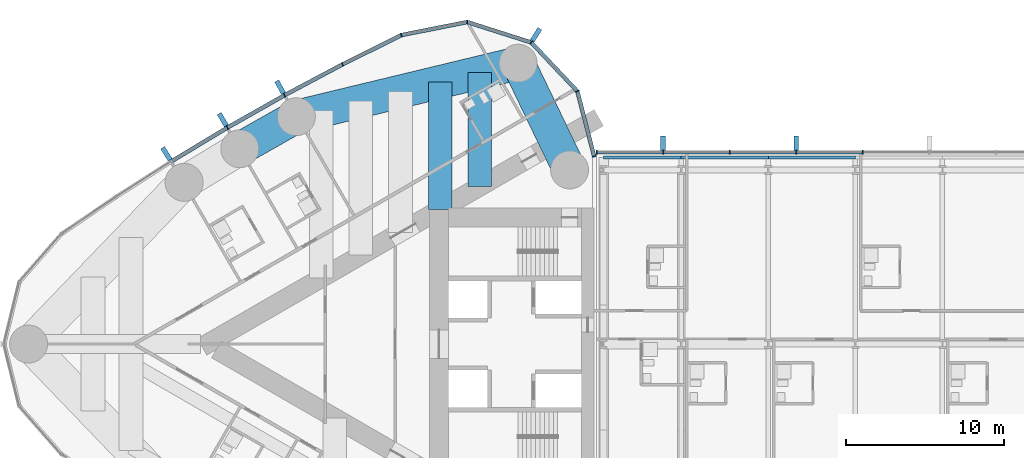
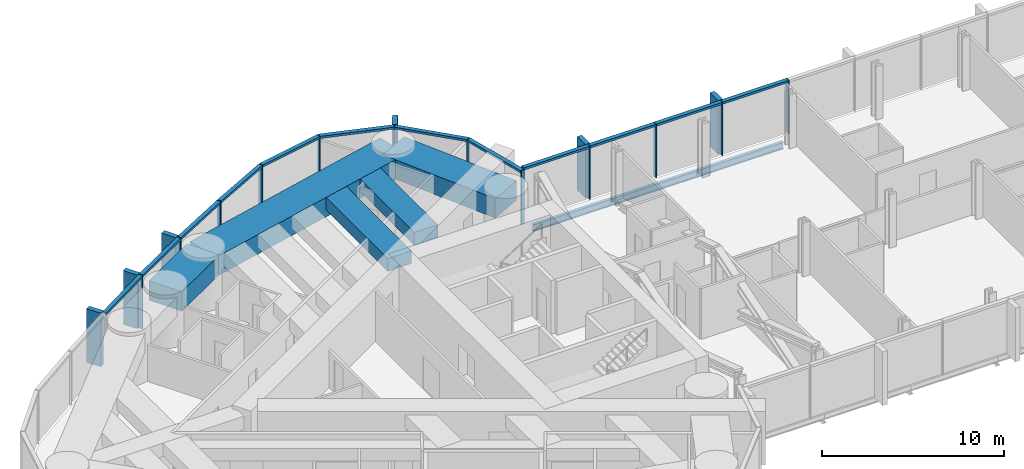
# One storey, part 6 of 24: 31 members, 8 beams, 2 elements without a shape of their own.
"""IFC4 building model written with IfcOpenShell, lengths in metres."""

import ifcopenshell
import ifcopenshell.guid

model = None  # the IFC model being written
_history = None  # IfcOwnerHistory: only IFC2X3 demands one
_inside = {}  # id of a spatial element -> (the spatial element, [elements in it])
_under = {}  # id of a project, library or spatial element -> (it, [spatial elements below it])
_declared = {}  # id of a project -> (the project, [libraries it declares])
_typed = {}  # id of a type object -> (the type object, [elements of that type])
_made_of = {}  # id of a material, layer set ... -> (it, [elements and type objects made of it])


def new_model(schema):
    """Start an empty IFC model of exactly this schema.

    Asked for "IFC4X3", IfcOpenShell would pick the latest addendum, in which some entities
    have other attributes; the version numbers below select the first issue.
    IFC2X3 requires an IfcOwnerHistory on every rooted entity: one is made here for all.
    """
    global model, _history
    if schema == "IFC4X3":
        model = ifcopenshell.file(schema_version=(4, 3, 0, 0))
    else:
        model = ifcopenshell.file(schema=schema)
    _inside.clear()
    _under.clear()
    _declared.clear()
    _typed.clear()
    _made_of.clear()
    _history = None
    if model.schema == "IFC2X3":
        org = make("IfcOrganization", Name="unknown")
        user = make(
            "IfcPersonAndOrganization",
            ThePerson=make("IfcPerson", FamilyName="unknown"),
            TheOrganization=org,
        )
        app = make(
            "IfcApplication",
            ApplicationDeveloper=org,
            Version="unknown",
            ApplicationFullName="unknown",
            ApplicationIdentifier="unknown",
        )
        _history = make(
            "IfcOwnerHistory",
            OwningUser=user,
            OwningApplication=app,
            ChangeAction="ADDED",
            CreationDate=0,
        )
    return model


def make(cls, **values):
    """One entity of the class cls with the attributes given. An attribute that is None is left unset."""
    return model.create_entity(
        cls, **{name: value for name, value in values.items() if value is not None}
    )


def rooted(cls, **values):
    """An entity with a GlobalId (a new one), such as an element, a storey or a relation."""
    return make(cls, GlobalId=ifcopenshell.guid.new(), OwnerHistory=_history, **values)


def si_unit(unit_type, name, prefix=None):
    """IfcSIUnit, for example si_unit("LENGTHUNIT", "METRE", prefix="MILLI")."""
    return make("IfcSIUnit", UnitType=unit_type, Prefix=prefix, Name=name)


def assignment(units):
    """IfcUnitAssignment: the units of a project."""
    return None if units is None else make("IfcUnitAssignment", Units=units)


def point(xyz):
    """IfcCartesianPoint."""
    return None if xyz is None else make("IfcCartesianPoint", Coordinates=xyz)


def direction(xyz):
    """IfcDirection."""
    return None if xyz is None else make("IfcDirection", DirectionRatios=xyz)


def frame(location, z_axis=None, x_axis=None):
    """IfcAxis2Placement3D, a coordinate frame: its origin and axes. An axis left out is left unset."""
    return make(
        "IfcAxis2Placement3D",
        Location=point(location),
        Axis=direction(z_axis),
        RefDirection=direction(x_axis),
    )


def frame_2d(location, x_axis=None):
    """IfcAxis2Placement2D, a coordinate frame in the plane: its origin and x axis."""
    return make(
        "IfcAxis2Placement2D", Location=point(location), RefDirection=direction(x_axis)
    )


def origin():
    """The frame at (0, 0, 0) with its axes left unset."""
    return frame((0.0, 0.0, 0.0))


def origin_2d():
    """The frame at (0, 0) in the plane with its x axis left unset."""
    return frame_2d((0.0, 0.0))


def place(relative_to, where):
    """IfcLocalPlacement: puts the frame where relative to a parent placement (None: the world)."""
    return make(
        "IfcLocalPlacement", PlacementRelTo=relative_to, RelativePlacement=where
    )


def context(
    kind, dimensions, precision=None, world=None, true_north=None, identifier=None
):
    """IfcGeometricRepresentationContext, for example the 3D "Model" context."""
    return make(
        "IfcGeometricRepresentationContext",
        ContextIdentifier=identifier,
        ContextType=kind,
        CoordinateSpaceDimension=dimensions,
        Precision=precision,
        WorldCoordinateSystem=world,
        TrueNorth=true_north,
    )


def subcontext(parent, identifier, kind, view, scale=None):
    """IfcGeometricRepresentationSubContext, for example "Body" below "Model"."""
    return make(
        "IfcGeometricRepresentationSubContext",
        ContextIdentifier=identifier,
        ContextType=kind,
        ParentContext=parent,
        TargetScale=scale,
        TargetView=view,
    )


def project(units=None, contexts=None):
    """IfcProject with its units and contexts."""
    return rooted(
        "IfcProject",
        Name="project",
        RepresentationContexts=contexts,
        UnitsInContext=assignment(units),
    )


def spatial(cls, under=None, at=None, **own):
    """A site, building, storey or space (cls), placed at a placement, below another one or the project."""
    s = rooted(cls, ObjectPlacement=at, **own)
    if under is not None:
        _under.setdefault(under.id(), (under, []))[1].append(s)
    return s


def profile(cls, at=None, kind="AREA", **sizes):
    """A parametric profile (cls). Its sizes go by their IFC names, for example OverallWidth=200.0."""
    return make(cls, ProfileType=kind, Position=at, **sizes)


def rectangle(**sizes):
    """IfcRectangleProfileDef."""
    return profile("IfcRectangleProfileDef", **sizes)


def i_section(**sizes):
    """IfcIShapeProfileDef."""
    return profile("IfcIShapeProfileDef", **sizes)


def extrude(swept, where, along, depth):
    """IfcExtrudedAreaSolid: the profile swept, set in the frame where, extruded along a direction by depth."""
    return make(
        "IfcExtrudedAreaSolid",
        SweptArea=swept,
        Position=where,
        ExtrudedDirection=direction(along),
        Depth=depth,
    )


def shape(context_of_items, identifier, shape_type, items):
    """IfcShapeRepresentation: the items that make up one representation, for example the "Body"."""
    return make(
        "IfcShapeRepresentation",
        ContextOfItems=context_of_items,
        RepresentationIdentifier=identifier,
        RepresentationType=shape_type,
        Items=items,
    )


def material(Name=None, Category=None):
    """IfcMaterial."""
    return make("IfcMaterial", Name=Name, Category=Category)


def material_profile(
    of_material, cross_section, Name=None, Category=None, Priority=None
):
    """IfcMaterialProfile: a cross section and its material."""
    return make(
        "IfcMaterialProfile",
        Name=Name,
        Material=of_material,
        Profile=cross_section,
        Priority=Priority,
        Category=Category,
    )


def profile_set(profiles, Name=None, composite=None):
    """IfcMaterialProfileSet."""
    return make(
        "IfcMaterialProfileSet",
        Name=Name,
        MaterialProfiles=profiles,
        CompositeProfile=composite,
    )


def made_of(thing, what):
    """Note that an element or type object is made of a material, layer set ...; save() writes the relation."""
    if what is not None:
        _made_of.setdefault(what.id(), (what, []))[1].append(thing)
    return thing


def type_object(cls, material=None, **own):
    """A type object (cls), such as IfcWallType, which elements share."""
    return made_of(rooted(cls, **own), material)


def element(
    cls,
    number,
    at=None,
    inside=None,
    cuts=None,
    type_object=None,
    material=None,
    context=None,
    identifier="Body",
    shape_type=None,
    held_by="IfcProductDefinitionShape",
    body=None,
    shapes=None,
    **own,
):
    """One element of the class cls, such as IfcWall. Its Tag is "e" and its number.

    at: its placement. inside: the storey or other place that contains it. cuts: it is an
    opening in that element (IfcRelVoidsElement). A single representation is given by context,
    identifier, shape_type and body (its items); several are given by shapes. held_by: the class
    of the entity that holds the representations. save() writes the other relations.
    """
    e = rooted(cls, Tag="e%d" % number, ObjectPlacement=at, **own)
    if body is not None:
        shapes = [shape(context, identifier, shape_type, body)]
    if shapes is not None:
        e.Representation = make(held_by, Representations=shapes)
    if inside is not None:
        _inside.setdefault(inside.id(), (inside, []))[1].append(e)
    if cuts is not None:
        rooted(
            "IfcRelVoidsElement", RelatingBuildingElement=cuts, RelatedOpeningElement=e
        )
    if type_object is not None:
        _typed.setdefault(type_object.id(), (type_object, []))[1].append(e)
    return made_of(e, material)


def aggregate(whole, parts):
    """IfcRelAggregates: a whole, such as a stair, and the parts it consists of."""
    return rooted("IfcRelAggregates", RelatingObject=whole, RelatedObjects=parts)


def save(model, path):
    """Write the relations noted so far, then the file.

    IfcRelAggregates (storeys below a building ...), IfcRelContainedInSpatialStructure (elements
    in a storey), IfcRelDefinesByType, IfcRelAssociatesMaterial and IfcRelDeclares: one each for
    every whole, place, type object, material and project.
    """
    for whole, parts in _under.values():
        aggregate(whole, parts)
    for where, things in _inside.values():
        rooted(
            "IfcRelContainedInSpatialStructure",
            RelatedElements=things,
            RelatingStructure=where,
        )
    for kind, things in _typed.values():
        rooted("IfcRelDefinesByType", RelatedObjects=things, RelatingType=kind)
    for what, things in _made_of.values():
        rooted("IfcRelAssociatesMaterial", RelatedObjects=things, RelatingMaterial=what)
    for by, libraries in _declared.values():
        rooted("IfcRelDeclares", RelatingContext=by, RelatedDefinitions=libraries)
    model.write(path)


model = new_model("IFC4")

# Units and contexts
model_context = context("Model", 3, precision=1e-05, world=origin(), true_north=direction((0.0, 1.0)))
body_context = subcontext(model_context, "Body", "Model", "MODEL_VIEW")
ifc_project = project(units=[si_unit("LENGTHUNIT", "METRE"), si_unit("AREAUNIT", "SQUARE_METRE"), si_unit("VOLUMEUNIT", "CUBIC_METRE"), si_unit("PLANEANGLEUNIT", "RADIAN"), si_unit("MASSUNIT", "GRAM", prefix="KILO")], contexts=[model_context])

# Site, building, storey
site_placement = place(None, origin())
site = spatial("IfcSite", under=ifc_project, at=site_placement, CompositionType="ELEMENT")
building_placement = place(site_placement, origin())
building = spatial("IfcBuilding", under=site, at=building_placement, Name="Lancet Gate Hotel", CompositionType="ELEMENT")
storey_placement = place(building_placement, frame((0.0, 0.0, 244.10009765625)))
storey = spatial("IfcBuildingStorey", under=building, at=storey_placement, Name="L65", CompositionType="ELEMENT", Elevation=244.10009765625)

# Curtain wall, members
ifc_material_1 = material(Name="Aluminium curtain wall", Category="aluminium")
curtain_wall_type_1 = type_object("IfcCurtainWallType", Name="Tower unitised curtain wall", PredefinedType="USERDEFINED", material=ifc_material_1)
curtain_wall_1_placement = place(storey_placement, origin())
curtain_wall_1 = element("IfcCurtainWall", 1, at=curtain_wall_1_placement, inside=storey, type_object=curtain_wall_type_1, Name="T1 L65 curtain wall 1", ObjectType="UNITISED CURTAIN WALL", PredefinedType="USERDEFINED")
ifc_material_2 = material(Name="Aluminium mullion", Category="aluminium")
ifc_material_profile_1 = material_profile(ifc_material_2, rectangle(XDim=0.06494140625, YDim=0.25, at=origin_2d()), Name="MULLION 65x250")
ifc_profile_set_1 = profile_set([ifc_material_profile_1], Name="Aluminium mullion")
member_type_1 = type_object("IfcMemberType", Name="Aluminium mullion 65x250", PredefinedType="MULLION", material=ifc_profile_set_1)
member_1_placement = place(storey_placement, frame((-27.5, 11.861572265625, 0.0), z_axis=(0.0, 0.0, 1.0), x_axis=(-0.249725827997, 0.968316586056, 0.0)))
member_1 = element("IfcMember", 2, at=member_1_placement, type_object=member_type_1, Name="T1 L65 curtain wall 1 mullion 1", PredefinedType="MULLION", context=body_context, shape_type="SweptSolid", body=[
    extrude(rectangle(XDim=0.06494140625, YDim=0.25, at=origin_2d()), origin(), (0.0, 0.0, 1.0), 3.599853515625),
])
member_2_placement = place(storey_placement, frame((-28.56005859375, 15.97216796875, 0.0), z_axis=(0.0, 0.0, 1.0), x_axis=(-0.483627322447, 0.875274021654, 0.0)))
member_2 = element("IfcMember", 3, at=member_2_placement, type_object=member_type_1, Name="T1 L65 curtain wall 1 mullion 2", PredefinedType="MULLION", context=body_context, shape_type="SweptSolid", body=[
    extrude(rectangle(XDim=0.06494140625, YDim=0.25, at=origin_2d()), origin(), (0.0, 0.0, 1.0), 3.599853515625),
])
member_3_placement = place(storey_placement, frame((-31.476318359375, 19.0576171875, 0.0), z_axis=(0.0, 0.0, 1.0), x_axis=(-0.846612863, 0.532209225966, 0.0)))
member_3 = element("IfcMember", 4, at=member_3_placement, type_object=member_type_1, Name="T1 L65 curtain wall 1 mullion 3", PredefinedType="MULLION", context=body_context, shape_type="SweptSolid", body=[
    extrude(rectangle(XDim=0.06494140625, YDim=0.25, at=origin_2d()), origin(), (0.0, 0.0, 1.0), 3.599853515625),
])
member_4_placement = place(storey_placement, frame((-35.520751953125, 20.347900390625, 0.0), z_axis=(0.0, 0.0, 1.0), x_axis=(-0.998409168318, 0.056383797491, 0.0)))
member_4 = element("IfcMember", 5, at=member_4_placement, type_object=member_type_1, Name="T1 L65 curtain wall 1 mullion 4", PredefinedType="MULLION", context=body_context, shape_type="SweptSolid", body=[
    extrude(rectangle(XDim=0.06494140625, YDim=0.25, at=origin_2d()), origin(), (0.0, 0.0, 1.0), 3.599853515625),
])
member_5_placement = place(storey_placement, frame((-39.684814453125, 19.521240234375, 0.0), z_axis=(0.0, 0.0, 1.0), x_axis=(-0.946887706423, -0.321564412561, 0.0)))
member_5 = element("IfcMember", 6, at=member_5_placement, type_object=member_type_1, Name="T1 L65 curtain wall 1 mullion 5", PredefinedType="MULLION", context=body_context, shape_type="SweptSolid", body=[
    extrude(rectangle(XDim=0.06494140625, YDim=0.25, at=origin_2d()), origin(), (0.0, 0.0, 1.0), 3.599853515625),
])
member_6_placement = place(storey_placement, frame((-43.3994140625, 17.67236328125, 0.0), z_axis=(0.0, 0.0, 1.0), x_axis=(-0.889155526065, -0.457605125046, 0.0)))
member_6 = element("IfcMember", 7, at=member_6_placement, type_object=member_type_1, Name="T1 L65 curtain wall 1 mullion 6", PredefinedType="MULLION", context=body_context, shape_type="SweptSolid", body=[
    extrude(rectangle(XDim=0.06494140625, YDim=0.25, at=origin_2d()), origin(), (0.0, 0.0, 1.0), 3.599853515625),
])
member_7_placement = place(storey_placement, frame((-47.062744140625, 15.72412109375, 0.0), z_axis=(0.0, 0.0, 1.0), x_axis=(-0.876516407283, -0.481371984815, 0.0)))
member_7 = element("IfcMember", 8, at=member_7_placement, type_object=member_type_1, Name="T1 L65 curtain wall 1 mullion 7", PredefinedType="MULLION", context=body_context, shape_type="SweptSolid", body=[
    extrude(rectangle(XDim=0.06494140625, YDim=0.25, at=origin_2d()), origin(), (0.0, 0.0, 1.0), 3.599853515625),
])
member_8_placement = place(storey_placement, frame((-50.67236328125, 13.677978515625, 0.0), z_axis=(0.0, 0.0, 1.0), x_axis=(-0.863242155108, -0.504790037189, 0.0)))
member_8 = element("IfcMember", 9, at=member_8_placement, type_object=member_type_1, Name="T1 L65 curtain wall 1 mullion 8", PredefinedType="MULLION", context=body_context, shape_type="SweptSolid", body=[
    extrude(rectangle(XDim=0.06494140625, YDim=0.25, at=origin_2d()), origin(), (0.0, 0.0, 1.0), 3.599853515625),
])

ifc_material_3 = material(Name="Aluminium curtain wall", Category="aluminium")
curtain_wall_type_2 = type_object("IfcCurtainWallType", Name="Bridge block curtain wall", PredefinedType="USERDEFINED", material=ifc_material_3)
curtain_wall_2_placement = place(storey_placement, origin())
curtain_wall_2 = element("IfcCurtainWall", 10, at=curtain_wall_2_placement, inside=storey, type_object=curtain_wall_type_2, Name="Bridge block L65 curtain wall N", ObjectType="UNITISED CURTAIN WALL", PredefinedType="USERDEFINED")
member_9_placement = place(storey_placement, frame((-10.519287109375, 12.1201171875, 0.0), z_axis=(0.0, 0.0, 1.0), x_axis=(-1.0, 0.0, 0.0)))
member_9 = element("IfcMember", 11, at=member_9_placement, type_object=member_type_1, Name="Bridge block L65 curtain wall N mullion 10", PredefinedType="MULLION", context=body_context, shape_type="SweptSolid", body=[
    extrude(rectangle(XDim=0.06494140625, YDim=0.25, at=origin_2d()), origin(), (0.0, 0.0, 1.0), 3.599853515625),
])
member_10_placement = place(storey_placement, frame((-14.726806640625, 12.1201171875, 0.0), z_axis=(0.0, 0.0, 1.0), x_axis=(-1.0, 0.0, 0.0)))
member_10 = element("IfcMember", 12, at=member_10_placement, type_object=member_type_1, Name="Bridge block L65 curtain wall N mullion 11", PredefinedType="MULLION", context=body_context, shape_type="SweptSolid", body=[
    extrude(rectangle(XDim=0.06494140625, YDim=0.25, at=origin_2d()), origin(), (0.0, 0.0, 1.0), 3.599853515625),
])
member_11_placement = place(storey_placement, frame((-18.9345703125, 12.1201171875, 0.0), z_axis=(0.0, 0.0, 1.0), x_axis=(-1.0, 0.0, 0.0)))
member_11 = element("IfcMember", 13, at=member_11_placement, type_object=member_type_1, Name="Bridge block L65 curtain wall N mullion 12", PredefinedType="MULLION", context=body_context, shape_type="SweptSolid", body=[
    extrude(rectangle(XDim=0.06494140625, YDim=0.25, at=origin_2d()), origin(), (0.0, 0.0, 1.0), 3.599853515625),
])
member_12_placement = place(storey_placement, frame((-23.142333984375, 12.1201171875, 0.0), z_axis=(0.0, 0.0, 1.0), x_axis=(-1.0, 0.0, 0.0)))
member_12 = element("IfcMember", 14, at=member_12_placement, type_object=member_type_1, Name="Bridge block L65 curtain wall N mullion 13", PredefinedType="MULLION", context=body_context, shape_type="SweptSolid", body=[
    extrude(rectangle(XDim=0.06494140625, YDim=0.25, at=origin_2d()), origin(), (0.0, 0.0, 1.0), 3.599853515625),
])
member_13_placement = place(storey_placement, frame((-27.35009765625, 12.1201171875, 0.0), z_axis=(0.0, 0.0, 1.0), x_axis=(-1.0, 0.0, 0.0)))
member_13 = element("IfcMember", 15, at=member_13_placement, type_object=member_type_1, Name="Bridge block L65 curtain wall N mullion 14", PredefinedType="MULLION", context=body_context, shape_type="SweptSolid", body=[
    extrude(rectangle(XDim=0.06494140625, YDim=0.25, at=origin_2d()), origin(), (0.0, 0.0, 1.0), 3.599853515625),
])

# Member
ifc_material_4 = material(Name="Aluminium transom", Category="aluminium")
ifc_material_profile_2 = material_profile(ifc_material_4, rectangle(XDim=0.25, YDim=0.14990234375, at=origin_2d()), Name="TRANSOM 250x150")
ifc_profile_set_2 = profile_set([ifc_material_profile_2], Name="Aluminium transom")
member_type_2 = type_object("IfcMemberType", Name="Aluminium transom 250x150", PredefinedType="USERDEFINED", material=ifc_profile_set_2)
member_14_placement = place(storey_placement, frame((-27.508056640625, 11.892822265625, 3.52490234375), z_axis=(-0.249715522936, 0.968319243641, 0.0), x_axis=(-0.968319243641, -0.249715522936, 0.0)))
member_14 = element("IfcMember", 16, at=member_14_placement, type_object=member_type_2, Name="T1 L65 curtain wall 1 transom 1", ObjectType="TRANSOM", PredefinedType="USERDEFINED", context=body_context, shape_type="SweptSolid", body=[
    extrude(rectangle(XDim=0.25, YDim=0.14990234375, at=origin_2d()), origin(), (0.0, 0.0, 1.0), 4.180419921875),
])

member_15_placement = place(storey_placement, frame((-28.58251953125, 15.995849609375, 3.52490234375), z_axis=(-0.686880731091, 0.726770157103, 0.0), x_axis=(-0.726770157103, -0.686880731091, 0.0)))
member_15 = element("IfcMember", 17, at=member_15_placement, type_object=member_type_2, Name="T1 L65 curtain wall 1 transom 2", ObjectType="TRANSOM", PredefinedType="USERDEFINED", context=body_context, shape_type="SweptSolid", body=[
    extrude(rectangle(XDim=0.25, YDim=0.14990234375, at=origin_2d()), origin(), (0.0, 0.0, 1.0), 4.18017578125),
])

member_16_placement = place(storey_placement, frame((-31.507080078125, 19.067626953125, 3.52490234375), z_axis=(-0.952697713775, 0.303919506068, 0.0), x_axis=(-0.303919506068, -0.952697713775, 0.0)))
member_16 = element("IfcMember", 18, at=member_16_placement, type_object=member_type_2, Name="T1 L65 curtain wall 1 transom 3", ObjectType="TRANSOM", PredefinedType="USERDEFINED", context=body_context, shape_type="SweptSolid", body=[
    extrude(rectangle(XDim=0.25, YDim=0.14990234375, at=origin_2d()), origin(), (0.0, 0.0, 1.0), 4.180419921875),
])

member_17_placement = place(storey_placement, frame((-35.552734375, 20.341552734375, 3.52490234375), z_axis=(-0.980858234867, -0.194723196085, 0.0), x_axis=(0.194723196085, -0.980858234867, 0.0)))
member_17 = element("IfcMember", 19, at=member_17_placement, type_object=member_type_2, Name="T1 L65 curtain wall 1 transom 4", ObjectType="TRANSOM", PredefinedType="USERDEFINED", context=body_context, shape_type="SweptSolid", body=[
    extrude(rectangle(XDim=0.25, YDim=0.14990234375, at=origin_2d()), origin(), (0.0, 0.0, 1.0), 4.18017578125),
])

member_18_placement = place(storey_placement, frame((-39.7138671875, 19.5068359375, 3.52490234375), z_axis=(-0.895226720479, -0.445610950202, 0.0), x_axis=(0.445610950202, -0.895226720479, 0.0)))
member_18 = element("IfcMember", 20, at=member_18_placement, type_object=member_type_2, Name="T1 L65 curtain wall 1 transom 5", ObjectType="TRANSOM", PredefinedType="USERDEFINED", context=body_context, shape_type="SweptSolid", body=[
    extrude(rectangle(XDim=0.25, YDim=0.14990234375, at=origin_2d()), origin(), (0.0, 0.0, 1.0), 4.08447265625),
])

member_19_placement = place(storey_placement, frame((-43.427978515625, 17.656982421875, 3.52490234375), z_axis=(-0.882944619844, -0.469477154171, 0.0), x_axis=(0.469477154171, -0.882944619844, 0.0)))
member_19 = element("IfcMember", 21, at=member_19_placement, type_object=member_type_2, Name="T1 L65 curtain wall 1 transom 6", ObjectType="TRANSOM", PredefinedType="USERDEFINED", context=body_context, shape_type="SweptSolid", body=[
    extrude(rectangle(XDim=0.25, YDim=0.14990234375, at=origin_2d()), origin(), (0.0, 0.0, 1.0), 4.084228515625),
])

member_20_placement = place(storey_placement, frame((-47.091064453125, 15.7080078125, 3.52490234375), z_axis=(-0.869977740049, -0.493090997503, 0.0), x_axis=(0.493090997503, -0.869977740049, 0.0)))
member_20 = element("IfcMember", 22, at=member_20_placement, type_object=member_type_2, Name="T1 L65 curtain wall 1 transom 7", ObjectType="TRANSOM", PredefinedType="USERDEFINED", context=body_context, shape_type="SweptSolid", body=[
    extrude(rectangle(XDim=0.25, YDim=0.14990234375, at=origin_2d()), origin(), (0.0, 0.0, 1.0), 4.084228515625),
])

member_21_placement = place(storey_placement, frame((-50.7001953125, 13.661376953125, 3.52490234375), z_axis=(-0.856362214892, -0.516375596737, 0.0), x_axis=(0.516375596737, -0.856362214892, 0.0)))
member_21 = element("IfcMember", 23, at=member_21_placement, type_object=member_type_2, Name="T1 L65 curtain wall 1 transom 8", ObjectType="TRANSOM", PredefinedType="USERDEFINED", context=body_context, shape_type="SweptSolid", body=[
    extrude(rectangle(XDim=0.25, YDim=0.14990234375, at=origin_2d()), origin(), (0.0, 0.0, 1.0), 4.08447265625),
])

member_22_placement = place(storey_placement, frame((-10.5517578125, 12.1201171875, 3.52490234375), z_axis=(-1.0, 0.0, 0.0), x_axis=(0.0, -1.0, 0.0)))
member_22 = element("IfcMember", 24, at=member_22_placement, type_object=member_type_2, Name="Bridge block L65 curtain wall N transom 10", ObjectType="TRANSOM", PredefinedType="USERDEFINED", context=body_context, shape_type="SweptSolid", body=[
    extrude(rectangle(XDim=0.25, YDim=0.14990234375, at=origin_2d()), origin(), (0.0, 0.0, 1.0), 4.142578125),
])

member_23_placement = place(storey_placement, frame((-14.759521484375, 12.1201171875, 3.52490234375), z_axis=(-1.0, 0.0, 0.0), x_axis=(0.0, -1.0, 0.0)))
member_23 = element("IfcMember", 25, at=member_23_placement, type_object=member_type_2, Name="Bridge block L65 curtain wall N transom 11", ObjectType="TRANSOM", PredefinedType="USERDEFINED", context=body_context, shape_type="SweptSolid", body=[
    extrude(rectangle(XDim=0.25, YDim=0.14990234375, at=origin_2d()), origin(), (0.0, 0.0, 1.0), 4.142578125),
])

member_24_placement = place(storey_placement, frame((-18.967041015625, 12.1201171875, 3.52490234375), z_axis=(-1.0, 0.0, 0.0), x_axis=(0.0, -1.0, 0.0)))
member_24 = element("IfcMember", 26, at=member_24_placement, type_object=member_type_2, Name="Bridge block L65 curtain wall N transom 12", ObjectType="TRANSOM", PredefinedType="USERDEFINED", context=body_context, shape_type="SweptSolid", body=[
    extrude(rectangle(XDim=0.25, YDim=0.14990234375, at=origin_2d()), origin(), (0.0, 0.0, 1.0), 4.142822265625),
])

member_25_placement = place(storey_placement, frame((-23.1748046875, 12.1201171875, 3.52490234375), z_axis=(-1.0, 0.0, 0.0), x_axis=(0.0, -1.0, 0.0)))
member_25 = element("IfcMember", 27, at=member_25_placement, type_object=member_type_2, Name="Bridge block L65 curtain wall N transom 13", ObjectType="TRANSOM", PredefinedType="USERDEFINED", context=body_context, shape_type="SweptSolid", body=[
    extrude(rectangle(XDim=0.25, YDim=0.14990234375, at=origin_2d()), origin(), (0.0, 0.0, 1.0), 4.142578125),
])

# Beams
ifc_material_5 = material(Name="Steel S355", Category="steel")
ifc_material_profile_3 = material_profile(ifc_material_5, i_section(OverallWidth=0.19140625, OverallDepth=0.4599609375, WebThickness=0.010009765625, FlangeThickness=0.01611328125, FilletRadius=0.01025390625, at=origin_2d()), Name="UKB 457x191x82")
ifc_profile_set_3 = profile_set([ifc_material_profile_3], Name="Steel S355")
beam_type_1 = type_object("IfcBeamType", Name="Block edge beam UKB 457x191x82", PredefinedType="SPANDREL", material=ifc_profile_set_3)
beam_1_placement = place(storey_placement, frame((-26.89990234375, 11.800048828125, -0.43017578125), z_axis=(1.0, 0.0, 0.0), x_axis=(0.0, 1.0, 0.0)))
element("IfcBeam", 28, at=beam_1_placement, inside=storey, type_object=beam_type_1, Name="Block edge beam N 0-1 L65", PredefinedType="SPANDREL", context=body_context, shape_type="SweptSolid", body=[
    extrude(i_section(OverallWidth=0.19140625, OverallDepth=0.4599609375, WebThickness=0.010009765625, FlangeThickness=0.01611328125, FilletRadius=0.01025390625, at=origin_2d()), origin(), (0.0, 0.0, 1.0), 4.89990234375),
])
for number, where, z_axis, x_axis, name in (
    (29, (-22.0, 11.800048828125, -0.43017578125), (1.0, 0.0, 0.0), (0.0, 1.0, 0.0), "Block edge beam N 1-2 L65"),
    (30, (-16.5, 11.800048828125, -0.43017578125), (1.0, 0.0, 0.0), (0.0, 1.0, 0.0), "Block edge beam N 2-3 L65"),
):
    element("IfcBeam", number, at=place(storey_placement, frame(where, z_axis=z_axis, x_axis=x_axis)), inside=storey, type_object=beam_type_1, Name=name, PredefinedType="SPANDREL", context=body_context, shape_type="SweptSolid", body=[
        extrude(i_section(OverallWidth=0.19140625, OverallDepth=0.4599609375, WebThickness=0.010009765625, FlangeThickness=0.01611328125, FilletRadius=0.01025390625, at=origin_2d()), origin(), (0.0, 0.0, 1.0), 5.5),
    ])
ifc_material_6 = material(Name="Concrete C50/60", Category="concrete")
ifc_material_profile_4 = material_profile(ifc_material_6, rectangle(XDim=2.10009765625, YDim=1.300048828125, at=origin_2d()), Name="RC 2100x1300")
ifc_profile_set_4 = profile_set([ifc_material_profile_4], Name="Concrete C50/60")
beam_type_2 = type_object("IfcBeamType", Name="Edge beam RC 2100x1300", PredefinedType="SPANDREL", material=ifc_profile_set_4)
beam_2_placement = place(storey_placement, frame((-32.301025390625, 17.745361328125, 2.699951171875), z_axis=(-0.972132796948, -0.234430853556, 0.0), x_axis=(0.234430853556, -0.972132796948, 0.0)))
element("IfcBeam", 31, at=beam_2_placement, inside=storey, type_object=beam_type_2, Name="T1 edge beam EB1 L65", PredefinedType="SPANDREL", context=body_context, shape_type="SweptSolid", body=[
    extrude(rectangle(XDim=2.10009765625, YDim=1.300048828125, at=origin_2d()), origin(), (0.0, 0.0, 1.0), 14.41748046875),
])
beam_3_placement = place(storey_placement, frame((-46.316650390625, 14.365478515625, 2.699951171875), z_axis=(-0.869978841992, -0.493089053301, 0.0), x_axis=(0.493089053301, -0.869978841992, 0.0)))
element("IfcBeam", 32, at=beam_3_placement, inside=storey, type_object=beam_type_2, Name="T1 edge beam EB1 L65", PredefinedType="SPANDREL", context=body_context, shape_type="SweptSolid", body=[
    extrude(rectangle(XDim=2.10009765625, YDim=1.300048828125, at=origin_2d()), origin(), (0.0, 0.0, 1.0), 4.107666015625),
])
beam_4_placement = place(storey_placement, frame((-32.301025390625, 17.745361328125, 2.699951171875), z_axis=(0.434163599361, -0.900834040759, 0.0), x_axis=(0.900834040759, 0.434163599361, 0.0)))
element("IfcBeam", 33, at=beam_4_placement, inside=storey, type_object=beam_type_2, Name="T1 edge beam EB1 L65", PredefinedType="SPANDREL", context=body_context, shape_type="SweptSolid", body=[
    extrude(rectangle(XDim=2.10009765625, YDim=1.300048828125, at=origin_2d()), origin(), (0.0, 0.0, 1.0), 7.48779296875),
])

# Member
ifc_material_7 = material(Name="Precast concrete C50/60", Category="concrete")
ifc_material_profile_5 = material_profile(ifc_material_7, rectangle(XDim=0.300048828125, YDim=0.89990234375, at=origin_2d()), Name="FIN 300x900")
ifc_profile_set_5 = profile_set([ifc_material_profile_5], Name="Precast concrete C50/60")
member_type_3 = type_object("IfcMemberType", Name="Exposed concrete fin 300x900", PredefinedType="USERDEFINED", material=ifc_profile_set_5)
member_26_placement = place(storey_placement, frame((-31.170166015625, 19.54443359375, 0.0), z_axis=(0.0, 0.0, 1.0), x_axis=(-0.846612863, 0.532209225966, 0.0)))
member_26 = element("IfcMember", 34, at=member_26_placement, type_object=member_type_3, Name="T1 L65 curtain wall 1 fin 3", ObjectType="FIN", PredefinedType="USERDEFINED", context=body_context, shape_type="SweptSolid", body=[
    extrude(rectangle(XDim=0.300048828125, YDim=0.89990234375, at=origin_2d()), origin(), (0.0, 0.0, 1.0), 3.599853515625),
])

member_27_placement = place(storey_placement, frame((-47.339599609375, 16.22802734375, 0.0), z_axis=(0.0, 0.0, 1.0), x_axis=(-0.876516407283, -0.481371984815, 0.0)))
member_27 = element("IfcMember", 35, at=member_27_placement, type_object=member_type_3, Name="T1 L65 curtain wall 1 fin 7", ObjectType="FIN", PredefinedType="USERDEFINED", context=body_context, shape_type="SweptSolid", body=[
    extrude(rectangle(XDim=0.300048828125, YDim=0.89990234375, at=origin_2d()), origin(), (0.0, 0.0, 1.0), 3.599853515625),
])

member_28_placement = place(storey_placement, frame((-50.962646484375, 14.17431640625, 0.0), z_axis=(0.0, 0.0, 1.0), x_axis=(-0.863242155108, -0.504790037189, 0.0)))
member_28 = element("IfcMember", 36, at=member_28_placement, type_object=member_type_3, Name="T1 L65 curtain wall 1 fin 8", ObjectType="FIN", PredefinedType="USERDEFINED", context=body_context, shape_type="SweptSolid", body=[
    extrude(rectangle(XDim=0.300048828125, YDim=0.89990234375, at=origin_2d()), origin(), (0.0, 0.0, 1.0), 3.599853515625),
])

member_29_placement = place(storey_placement, frame((-54.529296875, 12.02392578125, 0.0), z_axis=(0.0, 0.0, 1.0), x_axis=(-0.849342388216, -0.527842313176, 0.0)))
member_29 = element("IfcMember", 37, at=member_29_placement, type_object=member_type_3, Name="T1 L65 curtain wall 1 fin 9", ObjectType="FIN", PredefinedType="USERDEFINED", context=body_context, shape_type="SweptSolid", body=[
    extrude(rectangle(XDim=0.300048828125, YDim=0.89990234375, at=origin_2d()), origin(), (0.0, 0.0, 1.0), 3.599853515625),
])

aggregate(curtain_wall_1, [member_1, member_2, member_3, member_26, member_4, member_5, member_6, member_7, member_27, member_8, member_28, member_29, member_14, member_15, member_16, member_17, member_18, member_19, member_20, member_21])

member_30_placement = place(storey_placement, frame((-14.726806640625, 12.695068359375, 0.0), z_axis=(0.0, 0.0, 1.0), x_axis=(-1.0, 0.0, 0.0)))
member_30 = element("IfcMember", 38, at=member_30_placement, type_object=member_type_3, Name="Bridge block L65 curtain wall N fin 11", ObjectType="FIN", PredefinedType="USERDEFINED", context=body_context, shape_type="SweptSolid", body=[
    extrude(rectangle(XDim=0.300048828125, YDim=0.89990234375, at=origin_2d()), origin(), (0.0, 0.0, 1.0), 3.599853515625),
])

member_31_placement = place(storey_placement, frame((-23.142333984375, 12.695068359375, 0.0), z_axis=(0.0, 0.0, 1.0), x_axis=(-1.0, 0.0, 0.0)))
member_31 = element("IfcMember", 39, at=member_31_placement, type_object=member_type_3, Name="Bridge block L65 curtain wall N fin 13", ObjectType="FIN", PredefinedType="USERDEFINED", context=body_context, shape_type="SweptSolid", body=[
    extrude(rectangle(XDim=0.300048828125, YDim=0.89990234375, at=origin_2d()), origin(), (0.0, 0.0, 1.0), 3.599853515625),
])

aggregate(curtain_wall_2, [member_9, member_10, member_30, member_11, member_12, member_31, member_13, member_22, member_23, member_24, member_25])

# Beams
ifc_material_8 = material(Name="Concrete C50/60", Category="concrete")
ifc_material_profile_6 = material_profile(ifc_material_8, rectangle(XDim=1.5, YDim=0.85009765625, at=origin_2d()), Name="RC 1500x850")
ifc_profile_set_6 = profile_set([ifc_material_profile_6], Name="Concrete C50/60")
beam_type_3 = type_object("IfcBeamType", Name="Floor beam RC 1500x850", PredefinedType="BEAM", material=ifc_profile_set_6)
beam_5_placement = place(storey_placement, frame((-34.720458984375, 17.161865234375, 2.9248046875), z_axis=(0.0, -1.0, 0.0), x_axis=(1.0, 0.0, 0.0)))
element("IfcBeam", 40, at=beam_5_placement, inside=storey, type_object=beam_type_3, Name="T1 floor beam F02S L65", PredefinedType="BEAM", context=body_context, shape_type="SweptSolid", body=[
    extrude(rectangle(XDim=1.5, YDim=0.85009765625, at=origin_2d()), origin(), (0.0, 0.0, 1.0), 7.203857421875),
])
beam_6_placement = place(storey_placement, frame((-37.227294921875, 16.557373046875, 2.9248046875), z_axis=(0.0, -1.0, 0.0), x_axis=(1.0, 0.0, 0.0)))
element("IfcBeam", 41, at=beam_6_placement, inside=storey, type_object=beam_type_3, Name="T1 floor beam F03S L65", PredefinedType="BEAM", context=body_context, shape_type="SweptSolid", body=[
    extrude(rectangle(XDim=1.5, YDim=0.85009765625, at=origin_2d()), origin(), (0.0, 0.0, 1.0), 8.046630859375),
])

save(model, "model.ifc")
